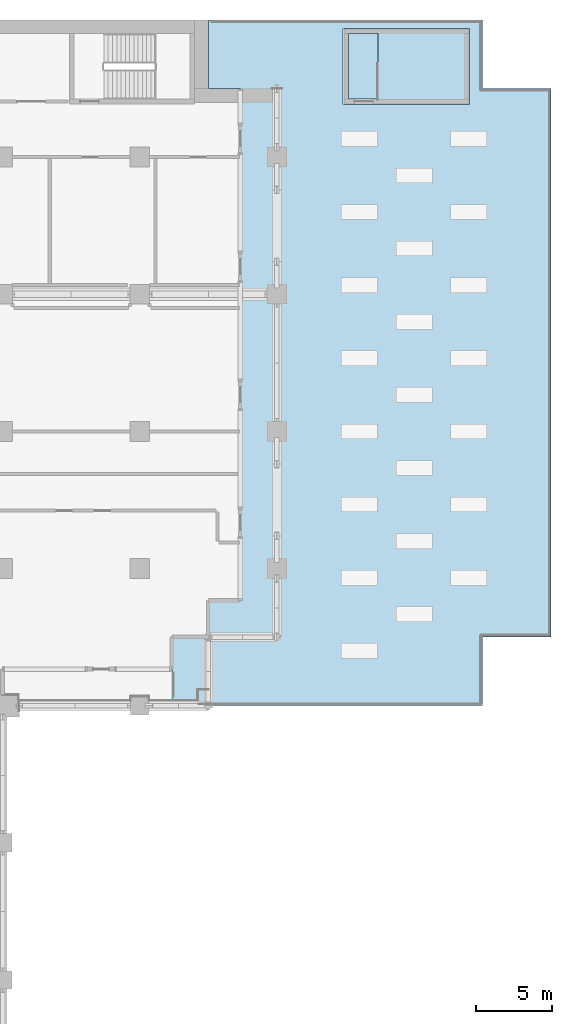
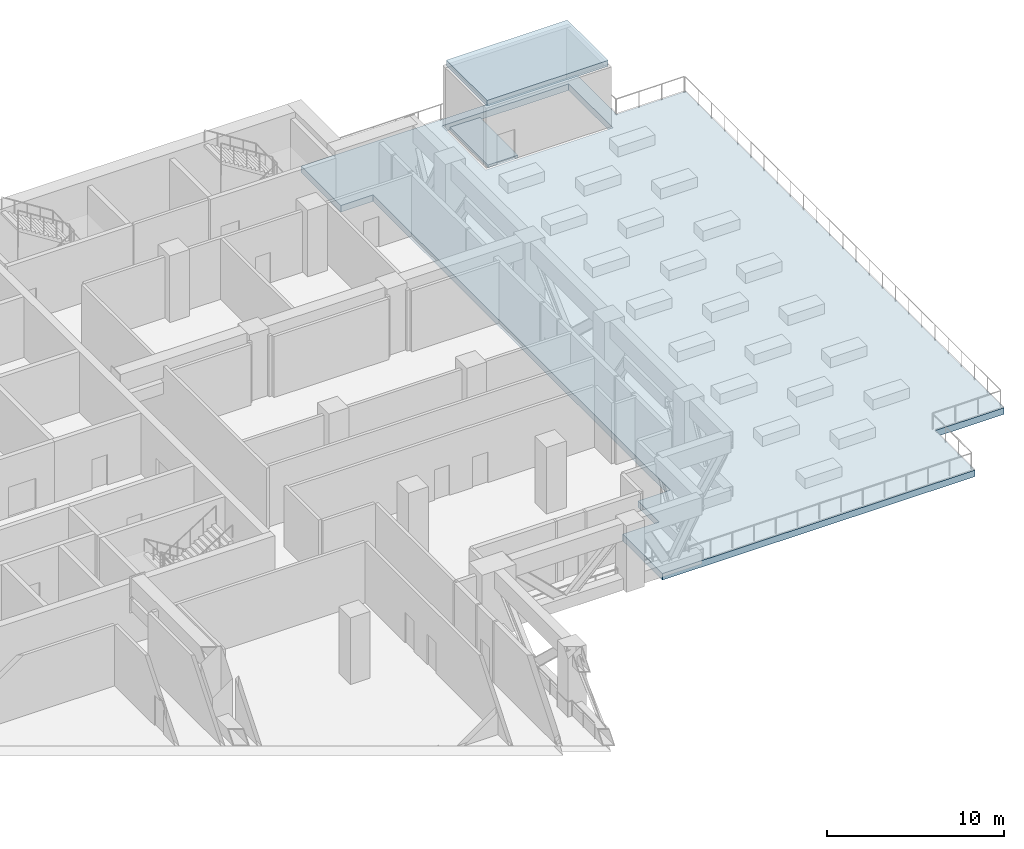
# One storey, part 6 of 22: 3 slabs.
"""IFC4 building model written with IfcOpenShell, lengths in metres."""

from ifc_helpers import new_model, si_unit, direction, frame, origin, place, context, subcontext, project, spatial, polyline, outline, extrude, material, layer, layer_set, type_object, element, save


model = new_model("IFC4")

# Units and contexts
model_context = context("Model", 3, precision=1e-05, world=origin(), true_north=direction((0.0, 1.0)))
body_context = subcontext(model_context, "Body", "Model", "MODEL_VIEW")
ifc_project = project(units=[si_unit("LENGTHUNIT", "METRE"), si_unit("AREAUNIT", "SQUARE_METRE"), si_unit("VOLUMEUNIT", "CUBIC_METRE"), si_unit("PLANEANGLEUNIT", "RADIAN"), si_unit("MASSUNIT", "GRAM", prefix="KILO")], contexts=[model_context])

# Site, building, storey
site_placement = place(None, origin())
site = spatial("IfcSite", under=ifc_project, at=site_placement, CompositionType="ELEMENT")
building_placement = place(site_placement, origin())
building = spatial("IfcBuilding", under=site, at=building_placement, Name="Hunhe Ridgeline Campus", CompositionType="ELEMENT")
storey_placement = place(building_placement, frame((0.0, 0.0, 129.199951171875)))
storey = spatial("IfcBuildingStorey", under=building, at=storey_placement, Name="L32", CompositionType="ELEMENT", Elevation=129.199951171875)

# Slabs
ifc_material = material(Name="Concrete C40", Category="concrete")
ifc_layer_1 = layer(ifc_material, 0.35009765625)
ifc_layer_set_1 = layer_set([ifc_layer_1], Name="Reinforced concrete stair head roof slab Concrete C40")
slab_type_1 = type_object("IfcSlabType", Name="Reinforced concrete stair head roof slab Concrete C40", PredefinedType="ROOF", material=ifc_layer_set_1)
slab_1_placement = place(storey_placement, frame((0.0, 0.0, 4.199951171875)))
element("IfcSlab", 1, at=slab_1_placement, inside=storey, type_object=slab_type_1, Name="Stair E3 head roof", PredefinedType="ROOF", context=body_context, shape_type="SweptSolid", body=[
    extrude(outline(polyline([(67.550048828125, 98.25), (75.449951171875, 98.25), (75.449951171875, 93.64990234375), (67.550048828125, 93.64990234375), (67.550048828125, 98.25)])), origin(), (0.0, 0.0, 1.0), 0.400146484375),
])
ifc_layer_2 = layer(ifc_material, 0.199951171875)
ifc_layer_set_2 = layer_set([ifc_layer_2], Name="Reinforced concrete stair landing 200 Concrete C40")
slab_type_2 = type_object("IfcSlabType", Name="Reinforced concrete stair landing 200 Concrete C40", PredefinedType="LANDING", material=ifc_layer_set_2)
slab_2_placement = place(storey_placement, frame((0.0, 0.0, -0.199951171875)))
element("IfcSlab", 2, at=slab_2_placement, inside=storey, type_object=slab_type_2, Name="L32 stair E3 floor landing", PredefinedType="LANDING", context=body_context, shape_type="SweptSolid", body=[
    extrude(outline(polyline([(67.699951171875, 93.800048828125), (69.64990234375, 93.800048828125), (69.64990234375, 98.10009765625), (67.699951171875, 98.10009765625), (67.699951171875, 93.800048828125)])), origin(), (0.0, 0.0, 1.0), 0.199951171875),
])
ifc_layer_3 = layer(ifc_material, 0.449951171875)
ifc_layer_set_3 = layer_set([ifc_layer_3], Name="Terrace slab 450 Concrete C40")
slab_type_3 = type_object("IfcSlabType", Name="Terrace slab 450 Concrete C40", PredefinedType="FLOOR", material=ifc_layer_set_3)
slab_3_placement = place(storey_placement, frame((0.0, 0.0, -0.449951171875)))
element("IfcSlab", 3, at=slab_3_placement, inside=storey, type_object=slab_type_3, Name="Terrace slab L32 1", PredefinedType="FLOOR", context=body_context, shape_type="SweptSolid", body=[
    extrude(outline(polyline([(58.49951171875, 58.5), (56.10009765625, 58.5), (56.10009765625, 54.0), (76.5, 54.0), (76.500244140625, 58.499755859375), (81.0, 58.5), (81.0, 94.5), (76.500244140625, 94.500244140625), (76.5, 99.0), (58.5, 99.0), (58.5, 94.5), (60.60009765625, 94.4990234375), (60.60009765625, 60.90087890625), (58.5, 60.89990234375), (58.49951171875, 58.5)]), holes=[polyline([(67.35009765625, 93.449951171875), (75.64990234375, 93.449951171875), (75.64990234375, 98.449951171875), (67.35009765625, 98.449951171875), (67.35009765625, 93.449951171875)])]), origin(), (0.0, 0.0, 1.0), 0.449951171875),
])

save(model, "model.ifc")
